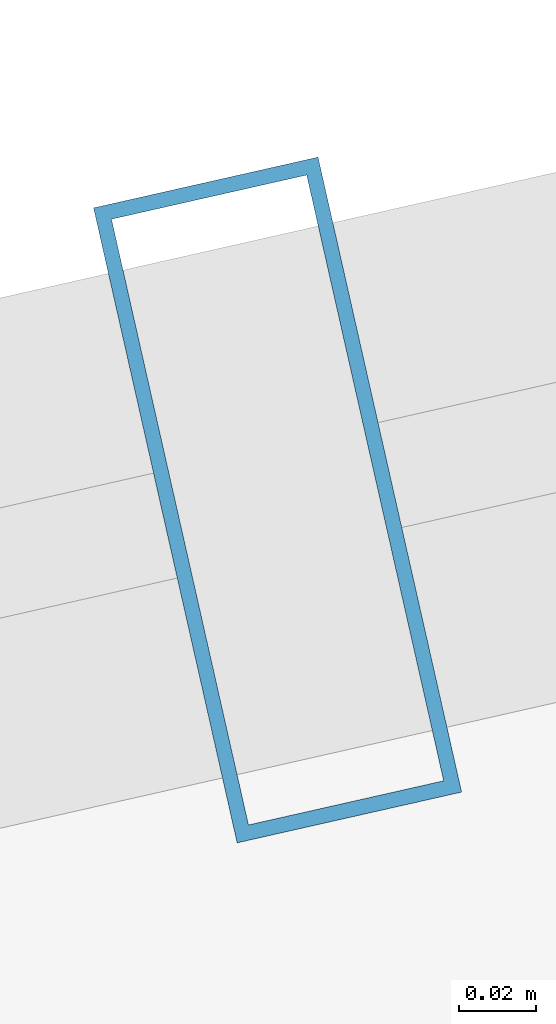
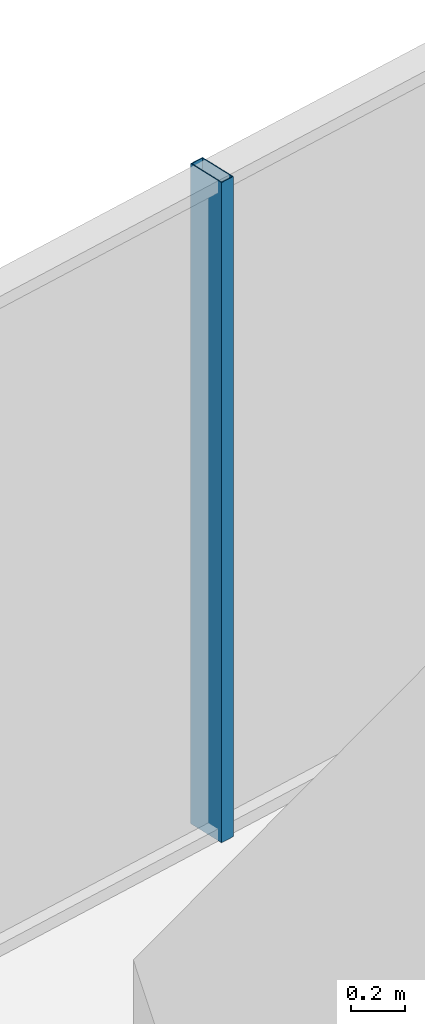
# One storey, part 26 of 39: 1 member, 1 element without a shape of its own.
"""IFC4 building model written with IfcOpenShell, lengths in metres."""

from ifc_helpers import new_model, si_unit, direction, frame, origin, origin_2d, place, context, subcontext, project, spatial, hollow_rectangle, extrude, source, transform, mapped, material, layer, layer_set, material_profile, profile_set, type_object, element, aggregate, save


model = new_model("IFC4")

# Units and contexts
model_context = context("Model", 3, precision=1e-05, world=origin(), true_north=direction((0.0, 1.0)))
body_context = subcontext(model_context, "Body", "Model", "MODEL_VIEW")
ifc_project = project(units=[si_unit("LENGTHUNIT", "METRE"), si_unit("AREAUNIT", "SQUARE_METRE"), si_unit("VOLUMEUNIT", "CUBIC_METRE"), si_unit("PLANEANGLEUNIT", "RADIAN"), si_unit("MASSUNIT", "GRAM", prefix="KILO")], contexts=[model_context])

# Site, building, storey
site_placement = place(None, origin())
site = spatial("IfcSite", under=ifc_project, at=site_placement, CompositionType="ELEMENT")
building_placement = place(site_placement, origin())
building = spatial("IfcBuilding", under=site, at=building_placement, Name="Veraguas Prism Commons", CompositionType="ELEMENT")
storey_placement = place(building_placement, frame((0.0, 0.0, 67.35009765625)))
storey = spatial("IfcBuildingStorey", under=building, at=storey_placement, Name="L18", CompositionType="ELEMENT", Elevation=67.35009765625)

# Curtain wall, member
ifc_material = material(Name="Anodised aluminium EN AW-6063 T6", Category="aluminium")
ifc_layer = layer(ifc_material, 0.169921875, Name="Unitised Flush Curtain Wall Zone 1", Category="aluminium")
ifc_layer_set = layer_set([ifc_layer], Name="Anodised aluminium EN AW-6063 T6")
curtain_wall_type = type_object("IfcCurtainWallType", Name="Unitised Flush Curtain Wall Zone 1", PredefinedType="NOTDEFINED", material=ifc_layer_set)
curtain_wall_placement = place(storey_placement, origin())
curtain_wall = element("IfcCurtainWall", 1, at=curtain_wall_placement, inside=storey, type_object=curtain_wall_type, Name="Tower Facade Curtain Wall L18-F2", PredefinedType="NOTDEFINED")
ifc_material_profile = material_profile(ifc_material, hollow_rectangle(XDim=0.06005859375, YDim=0.169921875, WallThickness=0.00390625, at=origin_2d()), Name="AL60X170X4")
ifc_profile_set = profile_set([ifc_material_profile], Name="Anodised aluminium EN AW-6063 T6")
member_type = type_object("IfcMemberType", Name="Curtain Wall Mullion Lower AL 60x170x4", PredefinedType="MULLION", material=ifc_profile_set)
shared_shape = source(origin(), body_context, "Body", "SweptSolid", [
    extrude(hollow_rectangle(XDim=0.06005859375, YDim=0.169921875, WallThickness=0.00390625, at=origin_2d()), origin(), (0.0, 0.0, 1.0), 3.0),
])
member_placement = place(storey_placement, frame((19.41650390625, 44.27294921875, 0.0), z_axis=(0.0, 0.0, 1.0), x_axis=(-0.975379669931, -0.220532309392, 0.0)))
member = element("IfcMember", 2, at=member_placement, type_object=member_type, Name="CW-Z1 Mullion 3", PredefinedType="MULLION", context=body_context, shape_type="MappedRepresentation", body=[
    mapped(shared_shape, transform((0.0, 0.0, 0.0), scale=1.0)),
])
aggregate(curtain_wall, [member])

save(model, "model.ifc")
